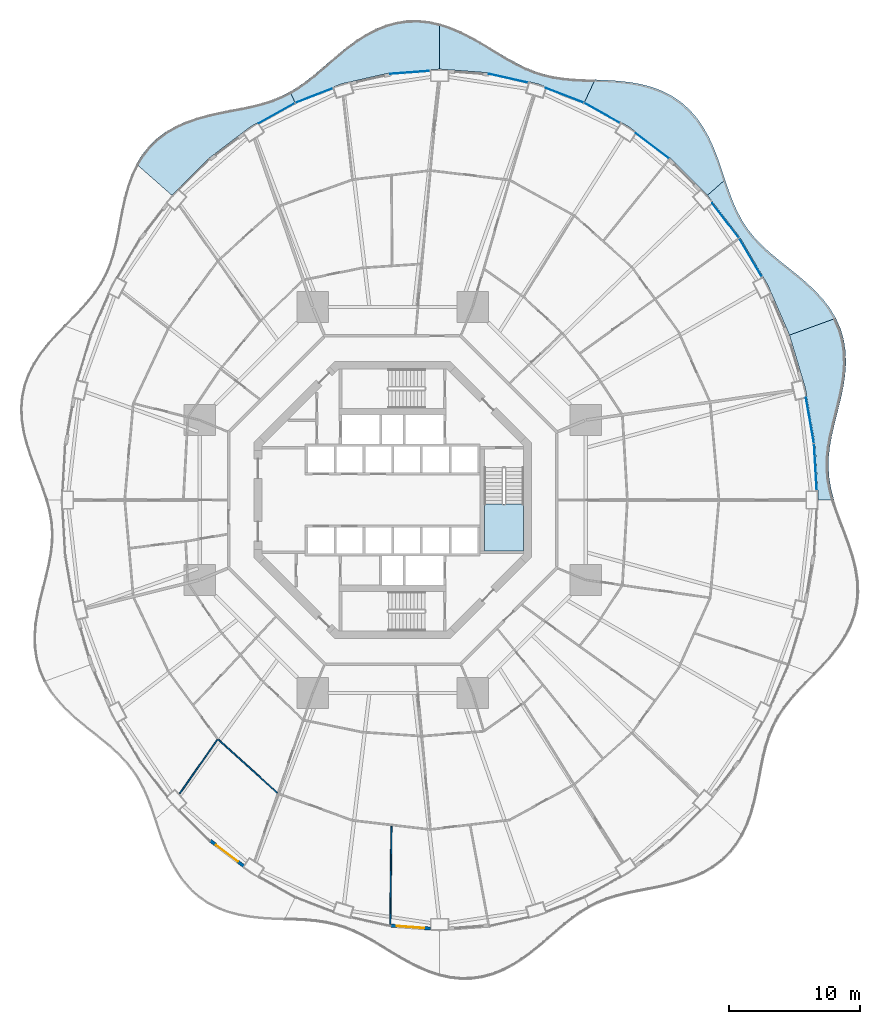
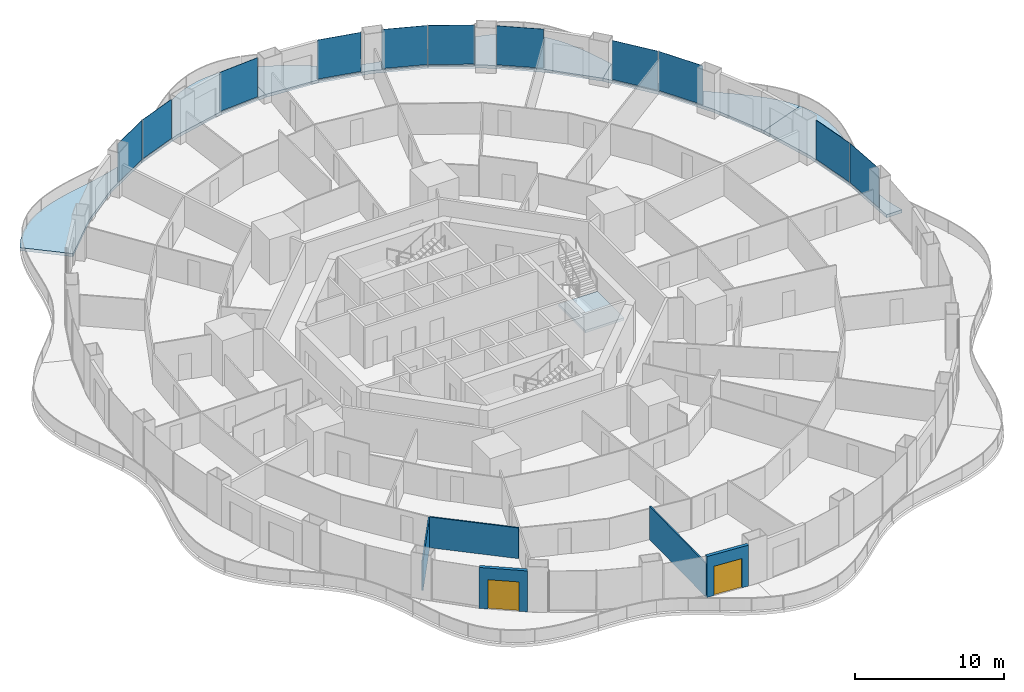
# One storey, part 13 of 22: 11 plates, 7 slabs, 5 walls, 2 doors, 2 openings, 12 elements without a shape of their own.
"""IFC4 building model written with IfcOpenShell, lengths in metres."""

from ifc_helpers import new_model, si_unit, direction, frame, frame_2d, origin, origin_2d, place, context, subcontext, project, spatial, polyline, rectangle, outline, extrude, material, layer, layer_set, type_object, element, fill, aggregate, save


model = new_model("IFC4")

# Units and contexts
model_context = context("Model", 3, precision=1e-05, world=origin(), true_north=direction((0.0, 1.0)))
body_context = subcontext(model_context, "Body", "Model", "MODEL_VIEW")
ifc_project = project(units=[si_unit("LENGTHUNIT", "METRE"), si_unit("AREAUNIT", "SQUARE_METRE"), si_unit("VOLUMEUNIT", "CUBIC_METRE"), si_unit("PLANEANGLEUNIT", "RADIAN"), si_unit("MASSUNIT", "GRAM", prefix="KILO")], contexts=[model_context])

# Site, building, storey
site_placement = place(None, origin())
site = spatial("IfcSite", under=ifc_project, at=site_placement, CompositionType="ELEMENT")
building_placement = place(site_placement, origin())
building = spatial("IfcBuilding", under=site, at=building_placement, Name="Nagisa Residences", CompositionType="ELEMENT")
storey_placement = place(building_placement, frame((0.0, 0.0, 64.0)))
storey = spatial("IfcBuildingStorey", under=building, at=storey_placement, Name="L15", CompositionType="ELEMENT", Elevation=64.0)

# Slabs
ifc_material_1 = material(Name="Concrete C40/50", Category="concrete")
ifc_layer_1 = layer(ifc_material_1, 0.25)
ifc_layer_set_1 = layer_set([ifc_layer_1], Name="BALCONY SLAB 250")
slab_type_1 = type_object("IfcSlabType", Name="BALCONY SLAB 250", PredefinedType="FLOOR", material=ifc_layer_set_1)
slab_1_placement = place(storey_placement, frame((0.0, 0.0, -0.25)))
element("IfcSlab", 1, at=slab_1_placement, inside=storey, type_object=slab_type_1, Name="slab:L15:bal00", PredefinedType="FLOOR", context=body_context, shape_type="SweptSolid", body=[
    extrude(outline(polyline([(33.801025390625, 0.0), (33.5830078125, 0.826416015625), (33.438720703125, 1.647705078125), (33.375244140625, 2.46923828125), (33.394287109375, 3.297607421875), (33.4892578125, 4.137939453125), (33.64794921875, 4.994873046875), (33.85205078125, 5.870361328125), (34.07958984375, 6.764404296875), (34.3046875, 7.675048828125), (34.501708984375, 8.59765625), (34.6455078125, 9.52490234375), (34.712890625, 10.448486328125), (34.686279296875, 11.359130859375), (34.552001953125, 12.2470703125), (34.303955078125, 13.103271484375), (33.942138671875, 13.920654296875), (30.392578125, 12.628662109375), (31.61181640625, 8.541015625), (32.351806640625, 4.307373046875), (32.60009765625, 0.0), (33.801025390625, 0.0)])), origin(), (0.0, 0.0, 1.0), 0.25),
])
slab_2_placement = place(storey_placement, frame((0.0, 0.0, -0.25)))
element("IfcSlab", 2, at=slab_2_placement, inside=storey, type_object=slab_type_1, Name="slab:L15:bal01", PredefinedType="FLOOR", context=body_context, shape_type="SweptSolid", body=[
    extrude(outline(polyline([(33.942138671875, 13.920654296875), (33.489013671875, 14.670654296875), (32.947265625, 15.377197265625), (32.33251953125, 16.041015625), (31.66455078125, 16.666015625), (30.96484375, 17.258544921875), (30.25537109375, 17.827880859375), (29.5576171875, 18.38525390625), (28.89013671875, 18.942626953125), (28.268310546875, 19.51220703125), (27.703125, 20.106201171875), (27.200439453125, 20.734130859375), (26.760009765625, 21.40380859375), (26.377197265625, 22.119140625), (26.042236328125, 22.88037109375), (25.7412109375, 23.68408203125), (25.45751953125, 24.522216796875), (24.106201171875, 23.33447265625), (26.607177734375, 20.089111328125), (28.71484375, 16.5), (30.392578125, 12.628662109375), (33.942138671875, 13.920654296875)])), origin(), (0.0, 0.0, 1.0), 0.25),
])
slab_3_placement = place(storey_placement, frame((0.0, 0.0, -0.25)))
element("IfcSlab", 3, at=slab_3_placement, inside=storey, type_object=slab_type_1, Name="slab:L15:bal02", PredefinedType="FLOOR", context=body_context, shape_type="SweptSolid", body=[
    extrude(outline(polyline([(25.45751953125, 24.522216796875), (25.186279296875, 25.342041015625), (24.897705078125, 26.169921875), (24.57666015625, 26.990478515625), (24.209228515625, 27.78857421875), (23.784423828125, 28.5478515625), (23.29443359375, 29.25341796875), (22.735107421875, 29.89208984375), (22.106201171875, 30.453369140625), (21.410888671875, 30.93017578125), (20.65625, 31.31982421875), (19.851318359375, 31.62353515625), (19.008056640625, 31.84716796875), (18.138671875, 32.0009765625), (17.25634765625, 32.09814453125), (16.373291015625, 32.155029296875), (15.5, 32.18994140625), (14.69775390625, 30.488037109375), (18.10009765625, 28.578857421875), (21.254150390625, 26.1806640625), (24.106201171875, 23.33447265625), (25.45751953125, 24.522216796875)])), origin(), (0.0, 0.0, 1.0), 0.25),
])
slab_4_placement = place(storey_placement, frame((0.0, 0.0, -0.25)))
element("IfcSlab", 4, at=slab_4_placement, inside=storey, type_object=slab_type_1, Name="slab:L15:bal03", PredefinedType="FLOOR", context=body_context, shape_type="SweptSolid", body=[
    extrude(outline(polyline([(15.5, 32.18994140625), (14.67578125, 32.22021484375), (13.874267578125, 32.26416015625), (13.098388671875, 32.33642578125), (12.347900390625, 32.449462890625), (11.621337890625, 32.613037109375), (10.9140625, 32.832275390625), (10.220458984375, 33.10888671875), (9.53369140625, 33.439453125), (8.846435546875, 33.81640625), (8.151611328125, 34.228759765625), (7.443359375, 34.661376953125), (6.716796875, 35.097412109375), (5.96875, 35.517822265625), (5.198974609375, 35.90380859375), (4.408203125, 36.236328125), (3.60009765625, 36.4990234375), (3.60009765625, 33.0), (7.38525390625, 32.7177734375), (11.105712890625, 31.87548828125), (14.69775390625, 30.488037109375), (15.5, 32.18994140625)])), origin(), (0.0, 0.0, 1.0), 0.25),
])
slab_5_placement = place(storey_placement, frame((0.0, 0.0, -0.25)))
element("IfcSlab", 5, at=slab_5_placement, inside=storey, type_object=slab_type_1, Name="slab:L15:bal04", PredefinedType="FLOOR", context=body_context, shape_type="SweptSolid", body=[
    extrude(outline(polyline([(3.60009765625, 36.4990234375), (2.779296875, 36.677734375), (1.95263671875, 36.761962890625), (1.12744140625, 36.74560546875), (0.310791015625, 36.626708984375), (-0.489990234375, 36.408203125), (-1.26904296875, 36.097412109375), (-2.021484375, 35.705810546875), (-2.7451171875, 35.247802734375), (-3.439453125, 34.740234375), (-4.106201171875, 34.201904296875), (-4.74951171875, 33.6513671875), (-5.375732421875, 33.10693359375), (-5.991943359375, 32.584716796875), (-6.606689453125, 32.098388671875), (-7.22900390625, 31.658203125), (-7.86669921875, 31.270751953125), (-7.497802734375, 30.488037109375), (-3.90576171875, 31.87548828125), (-0.185302734375, 32.7177734375), (3.60009765625, 33.0), (3.60009765625, 36.4990234375)])), origin(), (0.0, 0.0, 1.0), 0.25),
])
slab_6_placement = place(storey_placement, frame((0.0, 0.0, -0.25)))
element("IfcSlab", 6, at=slab_6_placement, inside=storey, type_object=slab_type_1, Name="slab:L15:bal05", PredefinedType="FLOOR", context=body_context, shape_type="SweptSolid", body=[
    extrude(outline(polyline([(-7.86669921875, 31.270751953125), (-8.552734375, 30.9267578125), (-9.269287109375, 30.639404296875), (-10.01953125, 30.402099609375), (-10.804443359375, 30.204345703125), (-11.62060546875, 30.031982421875), (-12.461669921875, 29.869140625), (-13.31884765625, 29.698486328125), (-14.179931640625, 29.503173828125), (-15.03173828125, 29.26708984375), (-15.859375, 28.9765625), (-16.648681640625, 28.6201171875), (-17.38623046875, 28.19091796875), (-18.06005859375, 27.684814453125), (-18.661865234375, 27.1025390625), (-19.18603515625, 26.4482421875), (-19.631591796875, 25.7294921875), (-16.906005859375, 23.33447265625), (-14.05419921875, 26.1806640625), (-10.89990234375, 28.578857421875), (-7.497802734375, 30.488037109375), (-7.86669921875, 31.270751953125)])), origin(), (0.0, 0.0, 1.0), 0.25),
])

# Curtain wall, plate
ifc_material_2 = material(Name="Concrete-coloured aluminium curtain wall system", Category="concrete")
ifc_layer_2 = layer(ifc_material_2, 0.159912109375)
ifc_layer_set_2 = layer_set([ifc_layer_2], Name="CW1 CURTAIN WALL")
curtain_wall_type = type_object("IfcCurtainWallType", Name="CW1 CURTAIN WALL", PredefinedType="NOTDEFINED", material=ifc_layer_set_2)
curtain_wall_1_placement = place(storey_placement, origin())
curtain_wall_1 = element("IfcCurtainWall", 7, at=curtain_wall_1_placement, inside=storey, type_object=curtain_wall_type, Name="cw:CW1:L15:00", PredefinedType="NOTDEFINED")
ifc_material_3 = material(Name="Clear laminated glass", Category="glass")
ifc_layer_3 = layer(ifc_material_3, 0.028076171875)
ifc_layer_set_3 = layer_set([ifc_layer_3], Name="CW1 GLASS PANEL")
plate_type = type_object("IfcPlateType", Name="CW1 GLASS PANEL", PredefinedType="CURTAIN_PANEL", material=ifc_layer_set_3)
plate_1_placement = place(storey_placement, frame((32.374267578125, 2.528564453125, 0.14990234375), z_axis=(0.0, 0.0, 1.0), x_axis=(-0.057503492216, 0.998345305184, 0.0)))
plate_1 = element("IfcPlate", 8, at=plate_1_placement, type_object=plate_type, Name="CW1 panel", PredefinedType="CURTAIN_PANEL", context=body_context, shape_type="SweptSolid", body=[
    extrude(rectangle(XDim=3.554443359375, YDim=0.028076171875, at=origin_2d()), origin(), (0.0, 0.0, 1.0), 3.199951171875),
])
aggregate(curtain_wall_1, [plate_1])

curtain_wall_2_placement = place(storey_placement, origin())
curtain_wall_2 = element("IfcCurtainWall", 9, at=curtain_wall_2_placement, inside=storey, type_object=curtain_wall_type, Name="cw:CW1:L15:01", PredefinedType="NOTDEFINED")
plate_2_placement = place(storey_placement, frame((31.958251953125, 6.09521484375, 0.14990234375), z_axis=(0.0, 0.0, 1.0), x_axis=(-0.172190868898, 0.985063604377, 0.0)))
plate_2 = element("IfcPlate", 10, at=plate_2_placement, type_object=plate_type, Name="CW1 panel", PredefinedType="CURTAIN_PANEL", context=body_context, shape_type="SweptSolid", body=[
    extrude(rectangle(XDim=3.537841796875, YDim=0.028076171875, at=origin_2d()), origin(), (0.0, 0.0, 1.0), 3.199951171875),
])
aggregate(curtain_wall_2, [plate_2])

curtain_wall_3_placement = place(storey_placement, origin())
curtain_wall_3 = element("IfcCurtainWall", 11, at=curtain_wall_3_placement, inside=storey, type_object=curtain_wall_type, Name="cw:CW1:L15:04", PredefinedType="NOTDEFINED")
plate_3_placement = place(storey_placement, frame((27.399658203125, 18.581787109375, 0.14990234375), z_axis=(0.0, 0.0, 1.0), x_axis=(-0.506348567002, 0.862328898214, 0.0)))
plate_3 = element("IfcPlate", 12, at=plate_3_placement, type_object=plate_type, Name="CW1 panel", PredefinedType="CURTAIN_PANEL", context=body_context, shape_type="SweptSolid", body=[
    extrude(rectangle(XDim=3.402099609375, YDim=0.028076171875, at=origin_2d()), origin(), (0.0, 0.0, 1.0), 3.199951171875),
])
aggregate(curtain_wall_3, [plate_3])

curtain_wall_4_placement = place(storey_placement, origin())
curtain_wall_4 = element("IfcCurtainWall", 13, at=curtain_wall_4_placement, inside=storey, type_object=curtain_wall_type, Name="cw:CW1:L15:05", PredefinedType="NOTDEFINED")
plate_4_placement = place(storey_placement, frame((25.488525390625, 21.409423828125, 0.14990234375), z_axis=(0.0, 0.0, 1.0), x_axis=(-0.610429828235, 0.792070340816, 0.0)))
plate_4 = element("IfcPlate", 14, at=plate_4_placement, type_object=plate_type, Name="CW1 panel", PredefinedType="CURTAIN_PANEL", context=body_context, shape_type="SweptSolid", body=[
    extrude(rectangle(XDim=3.33740234375, YDim=0.028076171875, at=origin_2d()), origin(), (0.0, 0.0, 1.0), 3.199951171875),
])
aggregate(curtain_wall_4, [plate_4])

curtain_wall_5_placement = place(storey_placement, origin())
curtain_wall_5 = element("IfcCurtainWall", 15, at=curtain_wall_5_placement, inside=storey, type_object=curtain_wall_type, Name="cw:CW1:L15:07", PredefinedType="NOTDEFINED")
plate_5_placement = place(storey_placement, frame((19.88330078125, 27.122314453125, 0.14990234375), z_axis=(0.0, 0.0, 1.0), x_axis=(-0.79603132756, 0.605255421737, 0.0)))
plate_5 = element("IfcPlate", 16, at=plate_5_placement, type_object=plate_type, Name="CW1 panel", PredefinedType="CURTAIN_PANEL", context=body_context, shape_type="SweptSolid", body=[
    extrude(rectangle(XDim=3.2021484375, YDim=0.028076171875, at=origin_2d()), origin(), (0.0, 0.0, 1.0), 3.199951171875),
])
aggregate(curtain_wall_5, [plate_5])

curtain_wall_6_placement = place(storey_placement, origin())
curtain_wall_6 = element("IfcCurtainWall", 17, at=curtain_wall_6_placement, inside=storey, type_object=curtain_wall_type, Name="cw:CW1:L15:08", PredefinedType="NOTDEFINED")
plate_6_placement = place(storey_placement, frame((16.0283203125, 29.649658203125, 0.14990234375), z_axis=(0.0, 0.0, 1.0), x_axis=(-0.872072377523, 0.489376918501, 0.0)))
plate_6 = element("IfcPlate", 18, at=plate_6_placement, type_object=plate_type, Name="CW1 panel", PredefinedType="CURTAIN_PANEL", context=body_context, shape_type="SweptSolid", body=[
    extrude(rectangle(XDim=3.141357421875, YDim=0.028076171875, at=origin_2d()), origin(), (0.0, 0.0, 1.0), 3.199951171875),
])
aggregate(curtain_wall_6, [plate_6])

curtain_wall_7_placement = place(storey_placement, origin())
curtain_wall_7 = element("IfcCurtainWall", 19, at=curtain_wall_7_placement, inside=storey, type_object=curtain_wall_type, Name="cw:CW1:L15:09", PredefinedType="NOTDEFINED")
plate_7_placement = place(storey_placement, frame((13.17138671875, 30.991943359375, 0.14990234375), z_axis=(0.0, 0.0, 1.0), x_axis=(-0.932825759707, 0.360327770268, 0.0)))
plate_7 = element("IfcPlate", 20, at=plate_7_placement, type_object=plate_type, Name="CW1 panel", PredefinedType="CURTAIN_PANEL", context=body_context, shape_type="SweptSolid", body=[
    extrude(rectangle(XDim=3.0908203125, YDim=0.028076171875, at=origin_2d()), origin(), (0.0, 0.0, 1.0), 3.199951171875),
])
aggregate(curtain_wall_7, [plate_7])

curtain_wall_8_placement = place(storey_placement, origin())
curtain_wall_8 = element("IfcCurtainWall", 21, at=curtain_wall_8_placement, inside=storey, type_object=curtain_wall_type, Name="cw:CW1:L15:10", PredefinedType="NOTDEFINED")
plate_8_placement = place(storey_placement, frame((8.857177734375, 32.302490234375, 0.14990234375), z_axis=(0.0, 0.0, 1.0), x_axis=(-0.975327274089, 0.2207639201, 0.0)))
plate_8 = element("IfcPlate", 22, at=plate_8_placement, type_object=plate_type, Name="CW1 panel", PredefinedType="CURTAIN_PANEL", context=body_context, shape_type="SweptSolid", body=[
    extrude(rectangle(XDim=3.0546875, YDim=0.028076171875, at=origin_2d()), origin(), (0.0, 0.0, 1.0), 3.199951171875),
])
aggregate(curtain_wall_8, [plate_8])

curtain_wall_9_placement = place(storey_placement, origin())
curtain_wall_9 = element("IfcCurtainWall", 23, at=curtain_wall_9_placement, inside=storey, type_object=curtain_wall_type, Name="cw:CW1:L15:12", PredefinedType="NOTDEFINED")
plate_9_placement = place(storey_placement, frame((1.33447265625, 32.750732421875, 0.14990234375), z_axis=(0.0, 0.0, 1.0), x_axis=(-0.997230168512, -0.074377355493, 0.0)))
plate_9 = element("IfcPlate", 24, at=plate_9_placement, type_object=plate_type, Name="CW1 panel", PredefinedType="CURTAIN_PANEL", context=body_context, shape_type="SweptSolid", body=[
    extrude(rectangle(XDim=3.035888671875, YDim=0.028076171875, at=origin_2d()), origin(), (0.0, 0.0, 1.0), 3.199951171875),
])
aggregate(curtain_wall_9, [plate_9])

curtain_wall_10_placement = place(storey_placement, origin())
curtain_wall_10 = element("IfcCurtainWall", 25, at=curtain_wall_10_placement, inside=storey, type_object=curtain_wall_type, Name="cw:CW1:L15:14", PredefinedType="NOTDEFINED")
plate_10_placement = place(storey_placement, frame((-6.02734375, 30.97021484375, 0.14990234375), z_axis=(0.0, 0.0, 1.0), x_axis=(-0.932825759707, -0.360327770268, 0.0)))
plate_10 = element("IfcPlate", 26, at=plate_10_placement, type_object=plate_type, Name="CW1 panel", PredefinedType="CURTAIN_PANEL", context=body_context, shape_type="SweptSolid", body=[
    extrude(rectangle(XDim=3.0908203125, YDim=0.028076171875, at=origin_2d()), origin(), (0.0, 0.0, 1.0), 3.199951171875),
])
aggregate(curtain_wall_10, [plate_10])

curtain_wall_11_placement = place(storey_placement, origin())
curtain_wall_11 = element("IfcCurtainWall", 27, at=curtain_wall_11_placement, inside=storey, type_object=curtain_wall_type, Name="cw:CW1:L15:15", PredefinedType="NOTDEFINED")
plate_11_placement = place(storey_placement, frame((-8.880615234375, 29.620361328125, 0.14990234375), z_axis=(0.0, 0.0, 1.0), x_axis=(-0.872072377523, -0.489376918501, 0.0)))
plate_11 = element("IfcPlate", 28, at=plate_11_placement, type_object=plate_type, Name="CW1 panel", PredefinedType="CURTAIN_PANEL", context=body_context, shape_type="SweptSolid", body=[
    extrude(rectangle(XDim=3.141357421875, YDim=0.028076171875, at=origin_2d()), origin(), (0.0, 0.0, 1.0), 3.199951171875),
])
aggregate(curtain_wall_11, [plate_11])

# Stair, slab
ifc_material_4 = material(Name="Concrete C60", Category="concrete")
stair_type = type_object("IfcStairType", Name="Exit stair", PredefinedType="HALF_TURN_STAIR", material=ifc_material_4)
stair_placement = place(storey_placement, origin())
stair = element("IfcStair", 29, at=stair_placement, inside=storey, type_object=stair_type, Name="L15 Exit stair E", PredefinedType="HALF_TURN_STAIR")
ifc_material_5 = material(Name="Concrete C60", Category="concrete")
ifc_layer_4 = layer(ifc_material_5, 0.199951171875)
ifc_layer_set_4 = layer_set([ifc_layer_4], Name="Stair landing")
slab_type_2 = type_object("IfcSlabType", Name="Stair landing", PredefinedType="LANDING", material=ifc_layer_set_4)
slab_7_placement = place(storey_placement, frame((0.0, 0.0, 1.64990234375)))
slab_7 = element("IfcSlab", 30, at=slab_7_placement, type_object=slab_type_2, Name="ST-E landing 1", PredefinedType="LANDING", context=body_context, shape_type="SweptSolid", body=[
    extrude(outline(polyline([(7.024658203125, -0.324951171875), (7.024658203125, -3.89990234375), (10.024658203125, -3.89990234375), (10.024658203125, -0.324951171875), (7.024658203125, -0.324951171875)])), origin(), (0.0, 0.0, 1.0), 0.2001953125),
])
aggregate(stair, [slab_7])

# Walls
ifc_material_6 = material(Name="Gypsum board on steel studs", Category="steel")
ifc_layer_5 = layer(ifc_material_6, 0.10009765625)
ifc_layer_set_5 = layer_set([ifc_layer_5], Name="Apartment partition 100")
wall_type_1 = type_object("IfcWallType", Name="Apartment partition 100", PredefinedType="PARTITIONING", material=ifc_layer_set_5)
wall_1_placement = place(storey_placement, frame((-13.42041015625, -18.3505859375, 0.0), z_axis=(0.0, 0.0, 1.0), x_axis=(-0.573127875153, -0.819465947262, 0.0)))
element("IfcWall", 31, at=wall_1_placement, inside=storey, type_object=wall_type_1, Name="wall:L15:u65", PredefinedType="PARTITIONING", context=body_context, shape_type="SweptSolid", body=[
    extrude(rectangle(XDim=5.046630859375, YDim=0.10009765625, at=frame_2d((2.5234375, 0.0))), origin(), (0.0, 0.0, 1.0), 2.514892578125),
])
wall_2_placement = place(storey_placement, frame((-13.354736328125, -18.34326171875, 0.0), z_axis=(0.0, 0.0, 1.0), x_axis=(0.741722263338, -0.670707152242, 0.0)))
element("IfcWall", 32, at=wall_2_placement, inside=storey, type_object=wall_type_1, Name="wall:L15:u66", PredefinedType="PARTITIONING", context=body_context, shape_type="SweptSolid", body=[
    extrude(rectangle(XDim=6.109130859375, YDim=0.10009765625, at=frame_2d((3.0546875, 0.0))), origin(), (0.0, 0.0, 1.0), 2.514892578125),
])
wall_3_placement = place(storey_placement, frame((-0.095458984375, -24.93603515625, 0.0), z_axis=(0.0, 0.0, 1.0), x_axis=(-0.011541331541, -0.999933396615, 0.0)))
element("IfcWall", 33, at=wall_3_placement, inside=storey, type_object=wall_type_1, Name="wall:L15:u73", PredefinedType="PARTITIONING", context=body_context, shape_type="SweptSolid", body=[
    extrude(rectangle(XDim=7.7421875, YDim=0.10009765625, at=frame_2d((3.87109375, 0.0))), origin(), (0.0, 0.0, 1.0), 2.738037109375),
])

# Wall, opening, door
ifc_material_7 = material(Name="Precast concrete C40/50", Category="concrete")
ifc_layer_6 = layer(ifc_material_7, 0.25)
ifc_layer_set_6 = layer_set([ifc_layer_6], Name="BALCONY DOOR WALL 250")
wall_type_2 = type_object("IfcWallType", Name="BALCONY DOOR WALL 250", PredefinedType="SOLIDWALL", material=ifc_layer_set_6)
wall_4_placement = place(storey_placement, frame((-11.381591796875, -28.0556640625, 0.0), z_axis=(0.0, 0.0, 1.0), x_axis=(-0.796022293214, 0.605267303517, 0.0)))
wall_4 = element("IfcWall", 34, at=wall_4_placement, inside=storey, type_object=wall_type_2, Name="wall:L15:bay31", PredefinedType="SOLIDWALL", context=body_context, shape_type="SweptSolid", body=[
    extrude(rectangle(XDim=3.262451171875, YDim=0.25, at=frame_2d((1.63134765625, 0.0))), origin(), (0.0, 0.0, 1.0), 3.35009765625),
])
opening_1_placement = place(wall_4_placement, frame((0.5810546875, 0.0, 0.0)))
opening_1 = element("IfcOpeningElement", 35, at=opening_1_placement, cuts=wall_4, Name="Opening BD-L15-11", PredefinedType="OPENING", context=body_context, shape_type="SweptSolid", body=[
    extrude(rectangle(XDim=2.10009765625, YDim=2.39990234375, at=frame_2d((1.050048828125, 1.199951171875))), frame((0.0, 0.135009765625, 0.0), z_axis=(0.0, -1.0, 0.0), x_axis=(1.0, 0.0, 0.0)), (0.0, 0.0, 1.0), 0.27001953125),
])
ifc_material_8 = material(Name="Aluminium and clear glass", Category="aluminium")
door_type = type_object("IfcDoorType", Name="BALCONY SLIDING DOOR 2100x2400", OperationType="SLIDING_TO_LEFT", PredefinedType="DOOR", material=ifc_material_8)
door_1_placement = place(opening_1_placement, origin())
door_1 = element("IfcDoor", 36, at=door_1_placement, inside=storey, type_object=door_type, Name="door:L15:bay31", OperationType="SLIDING_TO_LEFT", OverallHeight=2.39990234375, OverallWidth=2.10009765625, PredefinedType="DOOR", context=body_context, shape_type="SweptSolid", body=[
    extrude(rectangle(XDim=2.10009765625, YDim=2.39990234375, at=frame_2d((1.050048828125, 1.199951171875))), frame((0.0, 0.02490234375, 0.0), z_axis=(0.0, -1.0, 0.0), x_axis=(1.0, 0.0, 0.0)), (0.0, 0.0, 1.0), 0.050048828125),
])
fill(opening_1, door_1)

wall_5_placement = place(storey_placement, frame((2.9111328125, -32.8232421875, 0.0), z_axis=(0.0, 0.0, 1.0), x_axis=(-0.997230834878, 0.074368420505, 0.0)))
wall_5 = element("IfcWall", 37, at=wall_5_placement, inside=storey, type_object=wall_type_2, Name="wall:L15:bay35", PredefinedType="SOLIDWALL", context=body_context, shape_type="SweptSolid", body=[
    extrude(rectangle(XDim=3.095703125, YDim=0.25, at=frame_2d((1.5478515625, 0.0))), origin(), (0.0, 0.0, 1.0), 3.35009765625),
])
opening_2_placement = place(wall_5_placement, frame((0.497802734375, 0.0, 0.0)))
opening_2 = element("IfcOpeningElement", 38, at=opening_2_placement, cuts=wall_5, Name="Opening BD-L15-12", PredefinedType="OPENING", context=body_context, shape_type="SweptSolid", body=[
    extrude(rectangle(XDim=2.10009765625, YDim=2.39990234375, at=frame_2d((1.050048828125, 1.199951171875))), frame((0.0, 0.135009765625, 0.0), z_axis=(0.0, -1.0, 0.0), x_axis=(1.0, 0.0, 0.0)), (0.0, 0.0, 1.0), 0.27001953125),
])
door_2_placement = place(opening_2_placement, origin())
door_2 = element("IfcDoor", 39, at=door_2_placement, inside=storey, type_object=door_type, Name="door:L15:bay35", OperationType="SLIDING_TO_LEFT", OverallHeight=2.39990234375, OverallWidth=2.10009765625, PredefinedType="DOOR", context=body_context, shape_type="SweptSolid", body=[
    extrude(rectangle(XDim=2.10009765625, YDim=2.39990234375, at=frame_2d((1.050048828125, 1.199951171875))), frame((0.0, 0.02490234375, 0.0), z_axis=(0.0, -1.0, 0.0), x_axis=(1.0, 0.0, 0.0)), (0.0, 0.0, 1.0), 0.050048828125),
])
fill(opening_2, door_2)

save(model, "model.ifc")
